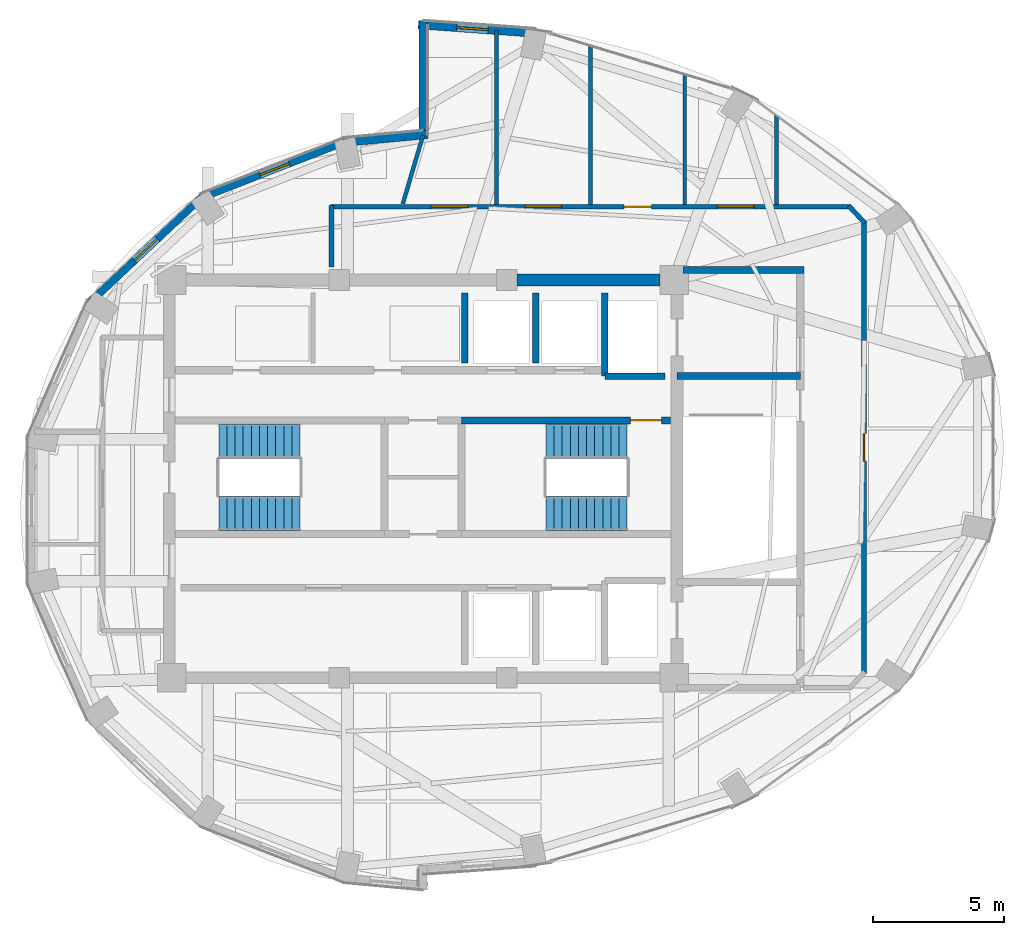
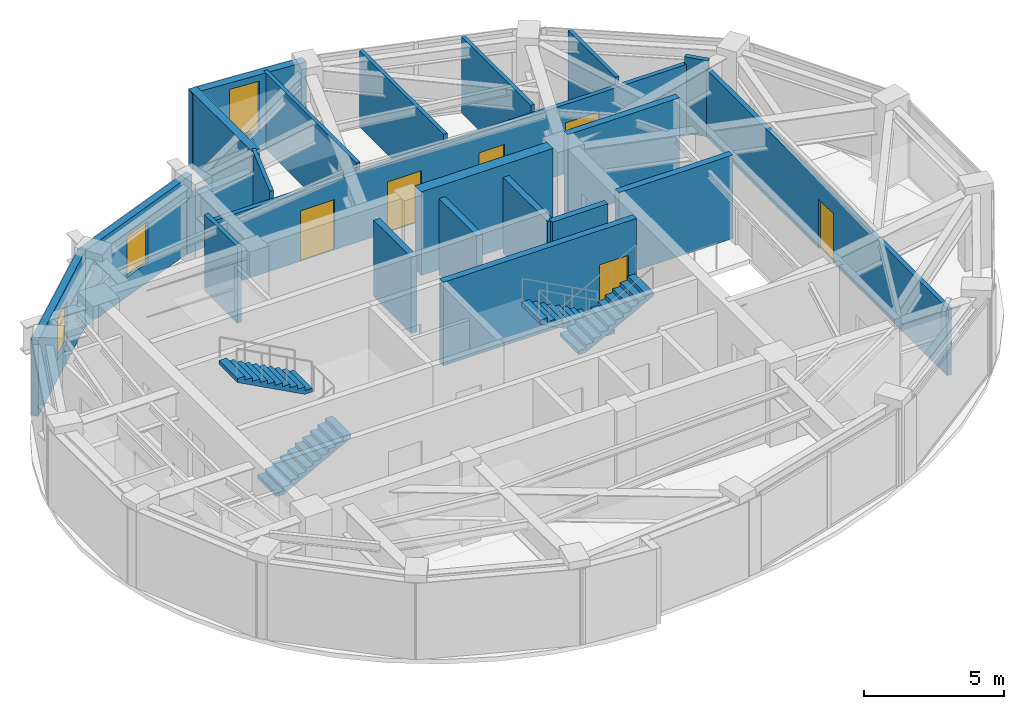
# One storey, part 11 of 13: 22 walls, 6 doors, 4 stair flights, 3 windows, 9 openings, 2 elements without a shape of their own.
"""IFC4 building model written with IfcOpenShell, lengths in metres."""

from ifc_helpers import new_model, si_unit, direction, frame, frame_2d, origin, place, context, subcontext, project, spatial, polyline, rectangle, outline, extrude, material, layer, layer_set, type_object, element, fill, aggregate, save


model = new_model("IFC4")

# Units and contexts
model_context = context("Model", 3, precision=1e-05, world=origin(), true_north=direction((0.0, 1.0)))
body_context = subcontext(model_context, "Body", "Model", "MODEL_VIEW")
ifc_project = project(units=[si_unit("LENGTHUNIT", "METRE"), si_unit("AREAUNIT", "SQUARE_METRE"), si_unit("VOLUMEUNIT", "CUBIC_METRE"), si_unit("PLANEANGLEUNIT", "RADIAN"), si_unit("MASSUNIT", "GRAM", prefix="KILO")], contexts=[model_context])

# Site, building, storey
site_placement = place(None, origin())
site = spatial("IfcSite", under=ifc_project, at=site_placement, CompositionType="ELEMENT")
building_placement = place(site_placement, origin())
building = spatial("IfcBuilding", under=site, at=building_placement, Name="Lazwardi Medical Tower", CompositionType="ELEMENT")
storey_placement = place(building_placement, frame((0.0, 0.0, 298.800048828125)))
storey = spatial("IfcBuildingStorey", under=building, at=storey_placement, Name="L78", CompositionType="ELEMENT", Elevation=298.800048828125)

# Wall
ifc_material_1 = material(Name="Fire-rated gypsum board on steel stud", Category="steel")
ifc_layer_1 = layer(ifc_material_1, 0.179931640625)
ifc_layer_set_1 = layer_set([ifc_layer_1], Name="Fire-rated gypsum board on steel stud")
wall_type_1 = type_object("IfcWallType", Name="WL-COR-180", PredefinedType="PARTITIONING", material=ifc_layer_set_1)
wall_1_placement = place(storey_placement, frame((32.5, 36.090087890625, 0.0), z_axis=(0.0, 0.0, 1.0), x_axis=(0.0, 1.0, 0.0)))
element("IfcWall", 1, at=wall_1_placement, inside=storey, type_object=wall_type_1, Name="L78 Corridor partition 1", PredefinedType="PARTITIONING", context=body_context, shape_type="SweptSolid", body=[
    extrude(rectangle(XDim=2.349853515625, YDim=0.179931640625, at=frame_2d((1.1748046875, 0.0))), origin(), (0.0, 0.0, 1.0), 3.327880859375),
])

# Wall, openings, doors
wall_2_placement = place(storey_placement, frame((32.4599609375, 38.39990234375, 0.0), z_axis=(0.0, 0.0, 1.0), x_axis=(1.0, 0.0, 0.0)))
wall_2 = element("IfcWall", 2, at=wall_2_placement, inside=storey, type_object=wall_type_1, Name="L78 Corridor partition 2", PredefinedType="PARTITIONING", context=body_context, shape_type="SweptSolid", body=[
    extrude(rectangle(XDim=19.879150390625, YDim=0.179931640625, at=frame_2d((9.939453125, 0.0))), origin(), (0.0, 0.0, 1.0), 3.012939453125),
])
opening_1_placement = place(wall_2_placement, frame((14.7900390625, 0.0, 0.0)))
opening_1 = element("IfcOpeningElement", 3, at=opening_1_placement, cuts=wall_2, Name="Opening D-L78-012", PredefinedType="OPENING", context=body_context, shape_type="SweptSolid", body=[
    extrude(rectangle(XDim=1.39990234375, YDim=2.199951171875, at=frame_2d((0.699951171875, 1.10009765625))), frame((0.0, 0.099853515625, 0.0), z_axis=(0.0, -1.0, 0.0), x_axis=(1.0, 0.0, 0.0)), (0.0, 0.0, 1.0), 0.199951171875),
])
opening_2_placement = place(wall_2_placement, frame((11.215087890625, 0.0, 0.0)))
opening_2 = element("IfcOpeningElement", 4, at=opening_2_placement, cuts=wall_2, Name="Opening D-L78-013", PredefinedType="OPENING", context=body_context, shape_type="SweptSolid", body=[
    extrude(rectangle(XDim=1.050048828125, YDim=2.14990234375, at=frame_2d((0.52490234375, 1.074951171875))), frame((0.0, 0.099853515625, 0.0), z_axis=(0.0, -1.0, 0.0), x_axis=(1.0, 0.0, 0.0)), (0.0, 0.0, 1.0), 0.199951171875),
])
opening_3_placement = place(wall_2_placement, frame((7.43994140625, 0.0, 0.0)))
opening_3 = element("IfcOpeningElement", 5, at=opening_3_placement, cuts=wall_2, Name="Opening D-L78-014", PredefinedType="OPENING", context=body_context, shape_type="SweptSolid", body=[
    extrude(rectangle(XDim=1.39990234375, YDim=2.199951171875, at=frame_2d((0.699951171875, 1.10009765625))), frame((0.0, 0.099853515625, 0.0), z_axis=(0.0, -1.0, 0.0), x_axis=(1.0, 0.0, 0.0)), (0.0, 0.0, 1.0), 0.199951171875),
])
opening_4_placement = place(wall_2_placement, frame((3.853759765625, 0.0, 0.0)))
opening_4 = element("IfcOpeningElement", 6, at=opening_4_placement, cuts=wall_2, Name="Opening D-L78-015", PredefinedType="OPENING", context=body_context, shape_type="SweptSolid", body=[
    extrude(rectangle(XDim=1.39990234375, YDim=2.199951171875, at=frame_2d((0.699951171875, 1.10009765625))), frame((0.0, 0.099853515625, 0.0), z_axis=(0.0, -1.0, 0.0), x_axis=(1.0, 0.0, 0.0)), (0.0, 0.0, 1.0), 0.199951171875),
])
ifc_material_2 = material(Name="Anti-microbial laminate hospital leaf")
door_type_1 = type_object("IfcDoorType", Name="DR-BED-1400", OperationType="NOTDEFINED", PredefinedType="DOOR", material=ifc_material_2)
door_1_placement = place(opening_1_placement, origin())
door_1 = element("IfcDoor", 7, at=door_1_placement, inside=storey, type_object=door_type_1, Name="L78 Patient Day Lounge Door 03", OperationType="SINGLE_SWING_RIGHT", OverallHeight=2.199951171875, OverallWidth=1.39990234375, PredefinedType="DOOR", context=body_context, shape_type="SweptSolid", body=[
    extrude(rectangle(XDim=1.39990234375, YDim=2.199951171875, at=frame_2d((0.699951171875, 1.10009765625))), frame((0.0, 0.02490234375, 0.0), z_axis=(0.0, -1.0, 0.0), x_axis=(1.0, 0.0, 0.0)), (0.0, 0.0, 1.0), 0.050048828125),
])
fill(opening_1, door_1)
door_2_placement = place(opening_3_placement, origin())
door_2 = element("IfcDoor", 8, at=door_2_placement, inside=storey, type_object=door_type_1, Name="L78 Rehabilitation Gymnasium Door 05", OperationType="SINGLE_SWING_RIGHT", OverallHeight=2.199951171875, OverallWidth=1.39990234375, PredefinedType="DOOR", context=body_context, shape_type="SweptSolid", body=[
    extrude(rectangle(XDim=1.39990234375, YDim=2.199951171875, at=frame_2d((0.699951171875, 1.10009765625))), frame((0.0, 0.02490234375, 0.0), z_axis=(0.0, -1.0, 0.0), x_axis=(1.0, 0.0, 0.0)), (0.0, 0.0, 1.0), 0.050048828125),
])
fill(opening_3, door_2)
door_3_placement = place(opening_4_placement, origin())
door_3 = element("IfcDoor", 9, at=door_3_placement, inside=storey, type_object=door_type_1, Name="L78 Rehabilitation Gymnasium Door 06", OperationType="SINGLE_SWING_LEFT", OverallHeight=2.199951171875, OverallWidth=1.39990234375, PredefinedType="DOOR", context=body_context, shape_type="SweptSolid", body=[
    extrude(rectangle(XDim=1.39990234375, YDim=2.199951171875, at=frame_2d((0.699951171875, 1.10009765625))), frame((0.0, 0.02490234375, 0.0), z_axis=(0.0, -1.0, 0.0), x_axis=(1.0, 0.0, 0.0)), (0.0, 0.0, 1.0), 0.050048828125),
])
fill(opening_4, door_3)
door_type_2 = type_object("IfcDoorType", Name="DR-CLN-1050", OperationType="NOTDEFINED", PredefinedType="DOOR", material=ifc_material_2)
door_4_placement = place(opening_2_placement, origin())
door_4 = element("IfcDoor", 10, at=door_4_placement, inside=storey, type_object=door_type_2, Name="L78 Outpatient Consultation Suite Door 04", OperationType="SINGLE_SWING_LEFT", OverallHeight=2.14990234375, OverallWidth=1.050048828125, PredefinedType="DOOR", context=body_context, shape_type="SweptSolid", body=[
    extrude(rectangle(XDim=1.050048828125, YDim=2.14990234375, at=frame_2d((0.52490234375, 1.074951171875))), frame((0.0, 0.02490234375, 0.0), z_axis=(0.0, -1.0, 0.0), x_axis=(1.0, 0.0, 0.0)), (0.0, 0.0, 1.0), 0.050048828125),
])
fill(opening_2, door_4)

# Wall
wall_3_placement = place(storey_placement, frame((52.271728515625, 38.42919921875, 0.0), z_axis=(0.0, 0.0, 1.0), x_axis=(0.682475113459, -0.730908831188, 0.0)))
element("IfcWall", 11, at=wall_3_placement, inside=storey, type_object=wall_type_1, Name="L78 Corridor partition 3", PredefinedType="PARTITIONING", context=body_context, shape_type="SweptSolid", body=[
    extrude(rectangle(XDim=0.88720703125, YDim=0.179931640625, at=frame_2d((0.443603515625, 0.0))), origin(), (0.0, 0.0, 1.0), 3.327880859375),
])

# Wall, opening, door
wall_4_placement = place(storey_placement, frame((52.85009765625, 37.85009765625, 0.0), z_axis=(0.0, 0.0, 1.0), x_axis=(0.0, -1.0, 0.0)))
wall_4 = element("IfcWall", 12, at=wall_4_placement, inside=storey, type_object=wall_type_1, Name="L78 Corridor partition 4", PredefinedType="PARTITIONING", context=body_context, shape_type="SweptSolid", body=[
    extrude(rectangle(XDim=17.30029296875, YDim=0.179931640625, at=frame_2d((8.650146484375, 0.0))), origin(), (0.0, 0.0, 1.0), 2.952880859375),
])
opening_5_placement = place(wall_4_placement, frame((8.125, 0.0, 0.0)))
opening_5 = element("IfcOpeningElement", 13, at=opening_5_placement, cuts=wall_4, Name="Opening D-L78-011", PredefinedType="OPENING", context=body_context, shape_type="SweptSolid", body=[
    extrude(rectangle(XDim=1.050048828125, YDim=2.14990234375, at=frame_2d((0.52490234375, 1.074951171875))), frame((0.0, 0.099853515625, 0.0), z_axis=(0.0, -1.0, 0.0), x_axis=(1.0, 0.0, 0.0)), (0.0, 0.0, 1.0), 0.199951171875),
])
door_5_placement = place(opening_5_placement, origin())
door_5 = element("IfcDoor", 14, at=door_5_placement, inside=storey, type_object=door_type_2, Name="L78 Medical Duty Staff Room Door 02", OperationType="SINGLE_SWING_LEFT", OverallHeight=2.14990234375, OverallWidth=1.050048828125, PredefinedType="DOOR", context=body_context, shape_type="SweptSolid", body=[
    extrude(rectangle(XDim=1.050048828125, YDim=2.14990234375, at=frame_2d((0.52490234375, 1.074951171875))), frame((0.0, 0.02490234375, 0.0), z_axis=(0.0, -1.0, 0.0), x_axis=(1.0, 0.0, 0.0)), (0.0, 0.0, 1.0), 0.050048828125),
])
fill(opening_5, door_5)

# Wall
ifc_material_3 = material(Name="Concrete C60/75", Category="concrete")
ifc_layer_2 = layer(ifc_material_3, 0.449951171875)
ifc_layer_set_2 = layer_set([ifc_layer_2], Name="Concrete C60/75")
wall_type_2 = type_object("IfcWallType", Name="WL-CORE-450", PredefinedType="SHEAR", material=ifc_layer_set_2)
wall_5_placement = place(storey_placement, frame((39.60009765625, 35.60009765625, 0.0), z_axis=(0.0, 0.0, 1.0), x_axis=(1.0, 0.0, 0.0)))
element("IfcWall", 15, at=wall_5_placement, inside=storey, type_object=wall_type_2, Name="Core wall CW-S4 N3 L78", PredefinedType="SHEAR", context=body_context, shape_type="SweptSolid", body=[
    extrude(rectangle(XDim=5.449951171875, YDim=0.449951171875, at=frame_2d((2.72509765625, 0.0))), origin(), (0.0, 0.0, 1.0), 3.64794921875),
])

# Wall, opening, window
ifc_material_4 = material(Name="Precast concrete C45/55", Category="concrete")
ifc_layer_3 = layer(ifc_material_4, 0.280029296875)
ifc_layer_set_3 = layer_set([ifc_layer_3], Name="Precast concrete C45/55")
wall_type_3 = type_object("IfcWallType", Name="WL-DRUM-280", PredefinedType="SOLIDWALL", material=ifc_layer_set_3)
wall_6_placement = place(storey_placement, frame((33.227783203125, 40.964111328125, 0.0), z_axis=(0.0, 0.0, 1.0), x_axis=(-0.931716550814, -0.36318627306, 0.0)))
wall_6 = element("IfcWall", 16, at=wall_6_placement, inside=storey, type_object=wall_type_3, Name="L78 West Drum Precast Wall 1", PredefinedType="SOLIDWALL", context=body_context, shape_type="SweptSolid", body=[
    extrude(rectangle(XDim=6.22412109375, YDim=0.280029296875, at=frame_2d((3.112060546875, 0.0))), origin(), (0.0, 0.0, 1.0), 3.327880859375),
])
opening_6_placement = place(wall_6_placement, frame((2.511962890625, 0.0, 0.85009765625)))
opening_6 = element("IfcOpeningElement", 17, at=opening_6_placement, cuts=wall_6, Name="Opening WN-04", PredefinedType="OPENING", context=body_context, shape_type="SweptSolid", body=[
    extrude(rectangle(XDim=1.199951171875, YDim=1.800048828125, at=frame_2d((0.60009765625, 0.89990234375))), frame((0.0, 0.14990234375, 0.0), z_axis=(0.0, -1.0, 0.0), x_axis=(1.0, 0.0, 0.0)), (0.0, 0.0, 1.0), 0.300048828125),
])
ifc_material_5 = material(Name="Low-e bronze solar control double glazing", Category="glass")
window_type_1 = type_object("IfcWindowType", Name="WIN-DRUM-1200", PartitioningType="SINGLE_PANEL", PredefinedType="WINDOW", material=ifc_material_5)
window_1_placement = place(opening_6_placement, origin())
window_1 = element("IfcWindow", 18, at=window_1_placement, inside=storey, type_object=window_type_1, Name="L78 West Drum Window 1", OverallHeight=1.800048828125, OverallWidth=1.199951171875, PartitioningType="SINGLE_PANEL", PredefinedType="WINDOW", context=body_context, shape_type="SweptSolid", body=[
    extrude(rectangle(XDim=1.199951171875, YDim=1.800048828125, at=frame_2d((0.60009765625, 0.89990234375))), frame((0.0, 0.030029296875, 0.0), z_axis=(0.0, -1.0, 0.0), x_axis=(1.0, 0.0, 0.0)), (0.0, 0.0, 1.0), 0.06005859375),
])
fill(opening_6, window_1)

wall_7_placement = place(storey_placement, frame((27.5947265625, 38.808349609375, 0.0), z_axis=(0.0, 0.0, 1.0), x_axis=(-0.728251519923, -0.685309947199, 0.0)))
wall_7 = element("IfcWall", 19, at=wall_7_placement, inside=storey, type_object=wall_type_3, Name="L78 West Drum Precast Wall 2", PredefinedType="SOLIDWALL", context=body_context, shape_type="SweptSolid", body=[
    extrude(rectangle(XDim=5.98095703125, YDim=0.280029296875, at=frame_2d((2.990478515625, 0.0))), origin(), (0.0, 0.0, 1.0), 3.327880859375),
])
opening_7_placement = place(wall_7_placement, frame((2.390625, 0.0, 0.85009765625)))
opening_7 = element("IfcOpeningElement", 20, at=opening_7_placement, cuts=wall_7, Name="Opening WN-04", PredefinedType="OPENING", context=body_context, shape_type="SweptSolid", body=[
    extrude(rectangle(XDim=1.199951171875, YDim=1.800048828125, at=frame_2d((0.60009765625, 0.89990234375))), frame((0.0, 0.14990234375, 0.0), z_axis=(0.0, -1.0, 0.0), x_axis=(1.0, 0.0, 0.0)), (0.0, 0.0, 1.0), 0.300048828125),
])
window_2_placement = place(opening_7_placement, origin())
window_2 = element("IfcWindow", 21, at=window_2_placement, inside=storey, type_object=window_type_1, Name="L78 West Drum Window 2", OverallHeight=1.800048828125, OverallWidth=1.199951171875, PartitioningType="SINGLE_PANEL", PredefinedType="WINDOW", context=body_context, shape_type="SweptSolid", body=[
    extrude(rectangle(XDim=1.199951171875, YDim=1.800048828125, at=frame_2d((0.60009765625, 0.89990234375))), frame((0.0, 0.030029296875, 0.0), z_axis=(0.0, -1.0, 0.0), x_axis=(1.0, 0.0, 0.0)), (0.0, 0.0, 1.0), 0.06005859375),
])
fill(opening_7, window_2)

ifc_layer_4 = layer(ifc_material_4, 0.320068359375)
ifc_layer_set_4 = layer_set([ifc_layer_4], Name="Precast concrete C45/55")
wall_type_4 = type_object("IfcWallType", Name="WL-IWAN-320", PredefinedType="SOLIDWALL", material=ifc_layer_set_4)
wall_8_placement = place(storey_placement, frame((40.349609375, 45.0263671875, 0.0), z_axis=(0.0, 0.0, 1.0), x_axis=(-0.997412917451, 0.071885131294, 0.0)))
wall_8 = element("IfcWall", 22, at=wall_8_placement, inside=storey, type_object=wall_type_4, Name="L78 Iwan Portal Return Wall NE_ret", PredefinedType="SOLIDWALL", context=body_context, shape_type="SweptSolid", body=[
    extrude(rectangle(XDim=4.540771484375, YDim=0.320068359375, at=frame_2d((2.2705078125, 0.0))), origin(), (0.0, 0.0, 1.0), 3.327880859375),
])
opening_8_placement = place(wall_8_placement, frame((1.8681640625, 0.0, 0.85009765625)))
opening_8 = element("IfcOpeningElement", 23, at=opening_8_placement, cuts=wall_8, Name="Opening WN-01", PredefinedType="OPENING", context=body_context, shape_type="SweptSolid", body=[
    extrude(rectangle(XDim=1.199951171875, YDim=2.199951171875, at=frame_2d((0.60009765625, 1.10009765625))), frame((0.0, 0.169921875, 0.0), z_axis=(0.0, -1.0, 0.0), x_axis=(1.0, 0.0, 0.0)), (0.0, 0.0, 1.0), 0.340087890625),
])
window_type_2 = type_object("IfcWindowType", Name="WIN-IW-1200", PartitioningType="SINGLE_PANEL", PredefinedType="WINDOW", material=ifc_material_5)
window_3_placement = place(opening_8_placement, origin())
window_3 = element("IfcWindow", 24, at=window_3_placement, inside=storey, type_object=window_type_2, Name="L78 Iwan Slot Window NE_ret", OverallHeight=2.199951171875, OverallWidth=1.199951171875, PartitioningType="SINGLE_PANEL", PredefinedType="WINDOW", context=body_context, shape_type="SweptSolid", body=[
    extrude(rectangle(XDim=1.199951171875, YDim=2.199951171875, at=frame_2d((0.60009765625, 1.10009765625))), frame((0.0, 0.030029296875, 0.0), z_axis=(0.0, -1.0, 0.0), x_axis=(1.0, 0.0, 0.0)), (0.0, 0.0, 1.0), 0.06005859375),
])
fill(opening_8, window_3)

# Walls
wall_9_placement = place(storey_placement, frame((36.178955078125, 41.156494140625, 0.0), z_axis=(0.0, 0.0, 1.0), x_axis=(-0.995736155144, -0.092247001792, 0.0)))
element("IfcWall", 25, at=wall_9_placement, inside=storey, type_object=wall_type_4, Name="L78 Iwan Portal Return Wall NW_ret", PredefinedType="SOLIDWALL", context=body_context, shape_type="SweptSolid", body=[
    extrude(rectangle(XDim=3.215576171875, YDim=0.320068359375, at=frame_2d((1.60791015625, 0.0))), origin(), (0.0, 0.0, 1.0), 2.412841796875),
])
wall_10_placement = place(storey_placement, frame((36.0, 45.5, 0.0), z_axis=(0.0, 0.0, 1.0), x_axis=(0.0, -1.0, 0.0)))
element("IfcWall", 26, at=wall_10_placement, inside=storey, type_object=wall_type_4, Name="L78 Turquoise Tilework Iwan Seam Wall N_seam", PredefinedType="SOLIDWALL", context=body_context, shape_type="SweptSolid", body=[
    extrude(rectangle(XDim=4.52001953125, YDim=0.320068359375, at=frame_2d((2.260009765625, 0.0))), origin(), (0.0, 0.0, 1.0), 3.327880859375),
])
ifc_material_6 = material(Name="Autoclaved aerated concrete blockwork", Category="masonry")
ifc_layer_5 = layer(ifc_material_6, 0.25)
ifc_layer_set_5 = layer_set([ifc_layer_5], Name="Autoclaved aerated concrete blockwork")
wall_type_5 = type_object("IfcWallType", Name="WL-SHAFT-250", PredefinedType="SOLIDWALL", material=ifc_layer_set_5)
wall_11_placement = place(storey_placement, frame((42.949951171875, 31.919921875, 0.0), z_axis=(0.0, 0.0, 1.0), x_axis=(0.0, 1.0, 0.0)))
element("IfcWall", 27, at=wall_11_placement, inside=storey, type_object=wall_type_5, Name="L78 FL-01 West shaft wall", PredefinedType="SOLIDWALL", context=body_context, shape_type="SweptSolid", body=[
    extrude(rectangle(XDim=3.18017578125, YDim=0.25, at=frame_2d((1.590087890625, 0.0))), origin(), (0.0, 0.0, 1.0), 3.327880859375),
])
wall_12_placement = place(storey_placement, frame((42.949951171875, 31.919921875, 0.0), z_axis=(0.0, 0.0, 1.0), x_axis=(1.0, 0.0, 0.0)))
element("IfcWall", 28, at=wall_12_placement, inside=storey, type_object=wall_type_5, Name="L78 FL-01 South shaft wall", PredefinedType="SOLIDWALL", context=body_context, shape_type="SweptSolid", body=[
    extrude(rectangle(XDim=2.300048828125, YDim=0.25, at=frame_2d((1.14990234375, 0.0))), origin(), (0.0, 0.0, 1.0), 3.327880859375),
])
for number, where, z_axis, x_axis, name in (
    (29, (37.60009765625, 32.419921875, 0.0), (0.0, 0.0, 1.0), (0.0, 1.0, 0.0), "L78 North hoistway divider"),
    (30, (40.300048828125, 32.419921875, 0.0), (0.0, 0.0, 1.0), (0.0, 1.0, 0.0), "L78 North hoistway divider"),
):
    element("IfcWall", number, at=place(storey_placement, frame(where, z_axis=z_axis, x_axis=x_axis)), inside=storey, type_object=wall_type_5, Name=name, PredefinedType="SOLIDWALL", context=body_context, shape_type="SweptSolid", body=[
        extrude(rectangle(XDim=2.68017578125, YDim=0.25, at=frame_2d((1.340087890625, 0.0))), origin(), (0.0, 0.0, 1.0), 3.327880859375),
    ])

# Wall, opening, door
ifc_material_7 = material(Name="Concrete C50/60", Category="concrete")
ifc_layer_6 = layer(ifc_material_7, 0.27001953125)
ifc_layer_set_6 = layer_set([ifc_layer_6], Name="Concrete C50/60")
wall_type_6 = type_object("IfcWallType", Name="WL-STR-250", PredefinedType="SHEAR", material=ifc_layer_set_6)
wall_13_placement = place(storey_placement, frame((37.465087890625, 30.235107421875, 0.0), z_axis=(0.0, 0.0, 1.0), x_axis=(1.0, 0.0, 0.0)))
wall_13 = element("IfcWall", 31, at=wall_13_placement, inside=storey, type_object=wall_type_6, Name="L78 ST2 North shear shaft wall SW-S1", PredefinedType="SHEAR", context=body_context, shape_type="SweptSolid", body=[
    extrude(rectangle(XDim=7.98486328125, YDim=0.27001953125, at=frame_2d((3.992431640625, 0.0))), origin(), (0.0, 0.0, 1.0), 3.64794921875),
])
opening_9_placement = place(wall_13_placement, frame((6.455078125, 0.0, 0.0)))
opening_9 = element("IfcOpeningElement", 32, at=opening_9_placement, cuts=wall_13, Name="Opening D-L78-018", PredefinedType="OPENING", context=body_context, shape_type="SweptSolid", body=[
    extrude(rectangle(XDim=1.199951171875, YDim=2.14990234375, at=frame_2d((0.60009765625, 1.074951171875))), frame((0.0, 0.14501953125, 0.0), z_axis=(0.0, -1.0, 0.0), x_axis=(1.0, 0.0, 0.0)), (0.0, 0.0, 1.0), 0.2900390625),
])
ifc_material_8 = material(Name="Fire-rated steel leaf and frame", Category="steel")
door_type_3 = type_object("IfcDoorType", Name="DR-STR-1200", OperationType="NOTDEFINED", PredefinedType="DOOR", material=ifc_material_8)
door_6_placement = place(opening_9_placement, origin())
door_6 = element("IfcDoor", 33, at=door_6_placement, inside=storey, type_object=door_type_3, Name="L78 Exit Stair ST2 Door", OperationType="SINGLE_SWING_LEFT", OverallHeight=2.14990234375, OverallWidth=1.199951171875, PredefinedType="DOOR", context=body_context, shape_type="SweptSolid", body=[
    extrude(rectangle(XDim=1.199951171875, YDim=2.14990234375, at=frame_2d((0.60009765625, 1.074951171875))), frame((0.0, 0.02490234375, 0.0), z_axis=(0.0, -1.0, 0.0), x_axis=(1.0, 0.0, 0.0)), (0.0, 0.0, 1.0), 0.050048828125),
])
fill(opening_9, door_6)

# Walls
wall_14_placement = place(storey_placement, frame((45.925048828125, 35.97998046875, 0.0), z_axis=(0.0, 0.0, 1.0), x_axis=(1.0, 0.0, 0.0)))
element("IfcWall", 34, at=wall_14_placement, inside=storey, type_object=wall_type_6, Name="L78 FFL-N North shear wall SW-S1", PredefinedType="SHEAR", context=body_context, shape_type="SweptSolid", body=[
    extrude(rectangle(XDim=4.625, YDim=0.27001953125, at=frame_2d((2.3125, 0.0))), origin(), (0.0, 0.0, 1.0), 3.64794921875),
])
wall_15_placement = place(storey_placement, frame((45.699951171875, 31.93505859375, 0.0), z_axis=(0.0, 0.0, 1.0), x_axis=(1.0, 0.0, 0.0)))
element("IfcWall", 35, at=wall_15_placement, inside=storey, type_object=wall_type_6, Name="L78 ST3 North shear shaft wall SW-S1", PredefinedType="SHEAR", context=body_context, shape_type="SweptSolid", body=[
    extrude(rectangle(XDim=4.715087890625, YDim=0.27001953125, at=frame_2d((2.357421875, 0.0))), origin(), (0.0, 0.0, 1.0), 3.64794921875),
])
ifc_material_9 = material(Name="Acoustic gypsum board partition")
ifc_layer_7 = layer(ifc_material_9, 0.14990234375)
ifc_layer_set_7 = layer_set([ifc_layer_7], Name="Acoustic gypsum board partition")
wall_type_7 = type_object("IfcWallType", Name="WL-WRD-150", PredefinedType="PARTITIONING", material=ifc_layer_set_7)
wall_16_placement = place(storey_placement, frame((35.228515625, 38.510986328125, 0.0), z_axis=(0.0, 0.0, 1.0), x_axis=(0.28355057677, 0.958957282893, 0.0)))
element("IfcWall", 36, at=wall_16_placement, inside=storey, type_object=wall_type_7, Name="L78 Room partition 3", PredefinedType="PARTITIONING", context=body_context, shape_type="SweptSolid", body=[
    extrude(rectangle(XDim=2.720703125, YDim=0.14990234375, at=frame_2d((1.3603515625, 0.0))), origin(), (0.0, 0.0, 1.0), 3.327880859375),
])
wall_17_placement = place(storey_placement, frame((38.800048828125, 38.489990234375, 0.0), z_axis=(0.0, 0.0, 1.0), x_axis=(0.0, 1.0, 0.0)))
element("IfcWall", 37, at=wall_17_placement, inside=storey, type_object=wall_type_7, Name="L78 Room partition 4", PredefinedType="PARTITIONING", context=body_context, shape_type="SweptSolid", body=[
    extrude(rectangle(XDim=6.64453125, YDim=0.14990234375, at=frame_2d((3.322265625, 0.0))), origin(), (0.0, 0.0, 1.0), 3.327880859375),
])
wall_18_placement = place(storey_placement, frame((42.39990234375, 38.489990234375, 0.0), z_axis=(0.0, 0.0, 1.0), x_axis=(0.0, 1.0, 0.0)))
element("IfcWall", 38, at=wall_18_placement, inside=storey, type_object=wall_type_7, Name="L78 Room partition 5", PredefinedType="PARTITIONING", context=body_context, shape_type="SweptSolid", body=[
    extrude(rectangle(XDim=6.036376953125, YDim=0.14990234375, at=frame_2d((3.01806640625, 0.0))), origin(), (0.0, 0.0, 1.0), 3.327880859375),
])
wall_19_placement = place(storey_placement, frame((46.0, 38.489990234375, 0.0), z_axis=(0.0, 0.0, 1.0), x_axis=(0.0, 1.0, 0.0)))
element("IfcWall", 39, at=wall_19_placement, inside=storey, type_object=wall_type_7, Name="L78 Room partition 6", PredefinedType="PARTITIONING", context=body_context, shape_type="SweptSolid", body=[
    extrude(rectangle(XDim=4.943115234375, YDim=0.14990234375, at=frame_2d((2.4716796875, 0.0))), origin(), (0.0, 0.0, 1.0), 3.327880859375),
])
wall_20_placement = place(storey_placement, frame((49.5, 38.489990234375, 0.0), z_axis=(0.0, 0.0, 1.0), x_axis=(0.0, 1.0, 0.0)))
element("IfcWall", 40, at=wall_20_placement, inside=storey, type_object=wall_type_7, Name="L78 Room partition 7", PredefinedType="PARTITIONING", context=body_context, shape_type="SweptSolid", body=[
    extrude(rectangle(XDim=3.387451171875, YDim=0.14990234375, at=frame_2d((1.69384765625, 0.0))), origin(), (0.0, 0.0, 1.0), 3.327880859375),
])

# Stair, stair flights
ifc_material_10 = material(Name="Concrete C45/55", Category="concrete")
stair_type = type_object("IfcStairType", Name="STR-WRD", PredefinedType="HALF_TURN_STAIR", material=ifc_material_10)
stair_1_placement = place(storey_placement, origin())
stair_1 = element("IfcStair", 41, at=stair_1_placement, inside=storey, type_object=stair_type, Name="L78 Protected Exit Stair ST1", PredefinedType="HALF_TURN_STAIR")
stair_flight_type = type_object("IfcStairFlightType", Name="FLT-WRD", PredefinedType="STRAIGHT", material=ifc_material_10)
stair_flight_1_placement = place(storey_placement, frame((28.199951171875, 26.679931640625, 0.0), z_axis=(0.0, 0.0, 1.0), x_axis=(1.0, 0.0, 0.0)))
stair_flight_1 = element("IfcStairFlight", 42, at=stair_flight_1_placement, type_object=stair_flight_type, Name="ST1 flight 1", NumberOfRisers=11, NumberOfTreads=10, PredefinedType="STRAIGHT", RiserHeight=0.165818182, TreadLength=0.31, context=body_context, shape_type="SweptSolid", body=[
    extrude(outline(polyline([(0.0, 0.0), (0.0, 0.165771484375), (0.31005859375, 0.165771484375), (0.31005859375, 0.33154296875), (0.6201171875, 0.33154296875), (0.6201171875, 0.49755859375), (0.929931640625, 0.49755859375), (0.929931640625, 0.663330078125), (1.239990234375, 0.663330078125), (1.239990234375, 0.8291015625), (1.550048828125, 0.8291015625), (1.550048828125, 0.994873046875), (1.860107421875, 0.994873046875), (1.860107421875, 1.16064453125), (2.169921875, 1.16064453125), (2.169921875, 1.32666015625), (2.47998046875, 1.32666015625), (2.47998046875, 1.492431640625), (2.7900390625, 1.492431640625), (2.7900390625, 1.658203125), (3.10009765625, 1.658203125), (3.10009765625, 1.823974609375), (3.10009765625, 1.48828125), (0.31787109375, 0.0), (0.0, 0.0)])), frame((0.0, 0.66015625, 0.0), z_axis=(0.0, -1.0, 0.0), x_axis=(1.0, 0.0, 0.0)), (0.0, 0.0, 1.0), 1.320068359375),
])
stair_flight_2_placement = place(storey_placement, frame((31.300048828125, 29.43994140625, 1.823974609375), z_axis=(0.0, 0.0, 1.0), x_axis=(-1.0, 0.0, 0.0)))
stair_flight_2 = element("IfcStairFlight", 43, at=stair_flight_2_placement, type_object=stair_flight_type, Name="ST1 flight 2", NumberOfRisers=11, NumberOfTreads=10, PredefinedType="STRAIGHT", RiserHeight=0.165818182, TreadLength=0.31, context=body_context, shape_type="SweptSolid", body=[
    extrude(outline(polyline([(0.0, 0.0), (0.0, 0.165771484375), (0.31005859375, 0.165771484375), (0.31005859375, 0.33154296875), (0.6201171875, 0.33154296875), (0.6201171875, 0.49755859375), (0.929931640625, 0.49755859375), (0.929931640625, 0.663330078125), (1.239990234375, 0.663330078125), (1.239990234375, 0.8291015625), (1.550048828125, 0.8291015625), (1.550048828125, 0.994873046875), (1.860107421875, 0.994873046875), (1.860107421875, 1.16064453125), (2.169921875, 1.16064453125), (2.169921875, 1.32666015625), (2.47998046875, 1.32666015625), (2.47998046875, 1.492431640625), (2.7900390625, 1.492431640625), (2.7900390625, 1.658203125), (3.10009765625, 1.658203125), (3.10009765625, 1.823974609375), (3.10009765625, 1.48828125), (0.31787109375, 0.0), (0.0, 0.0)])), frame((0.0, 0.66015625, 0.0), z_axis=(0.0, -1.0, 0.0), x_axis=(1.0, 0.0, 0.0)), (0.0, 0.0, 1.0), 1.320068359375),
])
aggregate(stair_1, [stair_flight_1, stair_flight_2])

stair_2_placement = place(storey_placement, origin())
stair_2 = element("IfcStair", 44, at=stair_2_placement, inside=storey, type_object=stair_type, Name="L78 Protected Exit Stair ST2", PredefinedType="HALF_TURN_STAIR")
stair_flight_3_placement = place(storey_placement, frame((43.800048828125, 29.43994140625, 0.0), z_axis=(0.0, 0.0, 1.0), x_axis=(-1.0, 0.0, 0.0)))
stair_flight_3 = element("IfcStairFlight", 45, at=stair_flight_3_placement, type_object=stair_flight_type, Name="ST2 flight 1", NumberOfRisers=11, NumberOfTreads=10, PredefinedType="STRAIGHT", RiserHeight=0.165818182, TreadLength=0.31, context=body_context, shape_type="SweptSolid", body=[
    extrude(outline(polyline([(0.0, 0.0), (0.0, 0.165771484375), (0.31005859375, 0.165771484375), (0.31005859375, 0.33154296875), (0.6201171875, 0.33154296875), (0.6201171875, 0.49755859375), (0.929931640625, 0.49755859375), (0.929931640625, 0.663330078125), (1.239990234375, 0.663330078125), (1.239990234375, 0.8291015625), (1.550048828125, 0.8291015625), (1.550048828125, 0.994873046875), (1.860107421875, 0.994873046875), (1.860107421875, 1.16064453125), (2.169921875, 1.16064453125), (2.169921875, 1.32666015625), (2.47998046875, 1.32666015625), (2.47998046875, 1.492431640625), (2.7900390625, 1.492431640625), (2.7900390625, 1.658203125), (3.10009765625, 1.658203125), (3.10009765625, 1.823974609375), (3.10009765625, 1.48828125), (0.31787109375, 0.0), (0.0, 0.0)])), frame((0.0, 0.66015625, 0.0), z_axis=(0.0, -1.0, 0.0), x_axis=(1.0, 0.0, 0.0)), (0.0, 0.0, 1.0), 1.320068359375),
])
stair_flight_4_placement = place(storey_placement, frame((40.699951171875, 26.679931640625, 1.823974609375), z_axis=(0.0, 0.0, 1.0), x_axis=(1.0, 0.0, 0.0)))
stair_flight_4 = element("IfcStairFlight", 46, at=stair_flight_4_placement, type_object=stair_flight_type, Name="ST2 flight 2", NumberOfRisers=11, NumberOfTreads=10, PredefinedType="STRAIGHT", RiserHeight=0.165818182, TreadLength=0.31, context=body_context, shape_type="SweptSolid", body=[
    extrude(outline(polyline([(0.0, 0.0), (0.0, 0.165771484375), (0.31005859375, 0.165771484375), (0.31005859375, 0.33154296875), (0.6201171875, 0.33154296875), (0.6201171875, 0.49755859375), (0.929931640625, 0.49755859375), (0.929931640625, 0.663330078125), (1.239990234375, 0.663330078125), (1.239990234375, 0.8291015625), (1.550048828125, 0.8291015625), (1.550048828125, 0.994873046875), (1.860107421875, 0.994873046875), (1.860107421875, 1.16064453125), (2.169921875, 1.16064453125), (2.169921875, 1.32666015625), (2.47998046875, 1.32666015625), (2.47998046875, 1.492431640625), (2.7900390625, 1.492431640625), (2.7900390625, 1.658203125), (3.10009765625, 1.658203125), (3.10009765625, 1.823974609375), (3.10009765625, 1.48828125), (0.31787109375, 0.0), (0.0, 0.0)])), frame((0.0, 0.66015625, 0.0), z_axis=(0.0, -1.0, 0.0), x_axis=(1.0, 0.0, 0.0)), (0.0, 0.0, 1.0), 1.320068359375),
])
aggregate(stair_2, [stair_flight_3, stair_flight_4])

save(model, "model.ifc")
